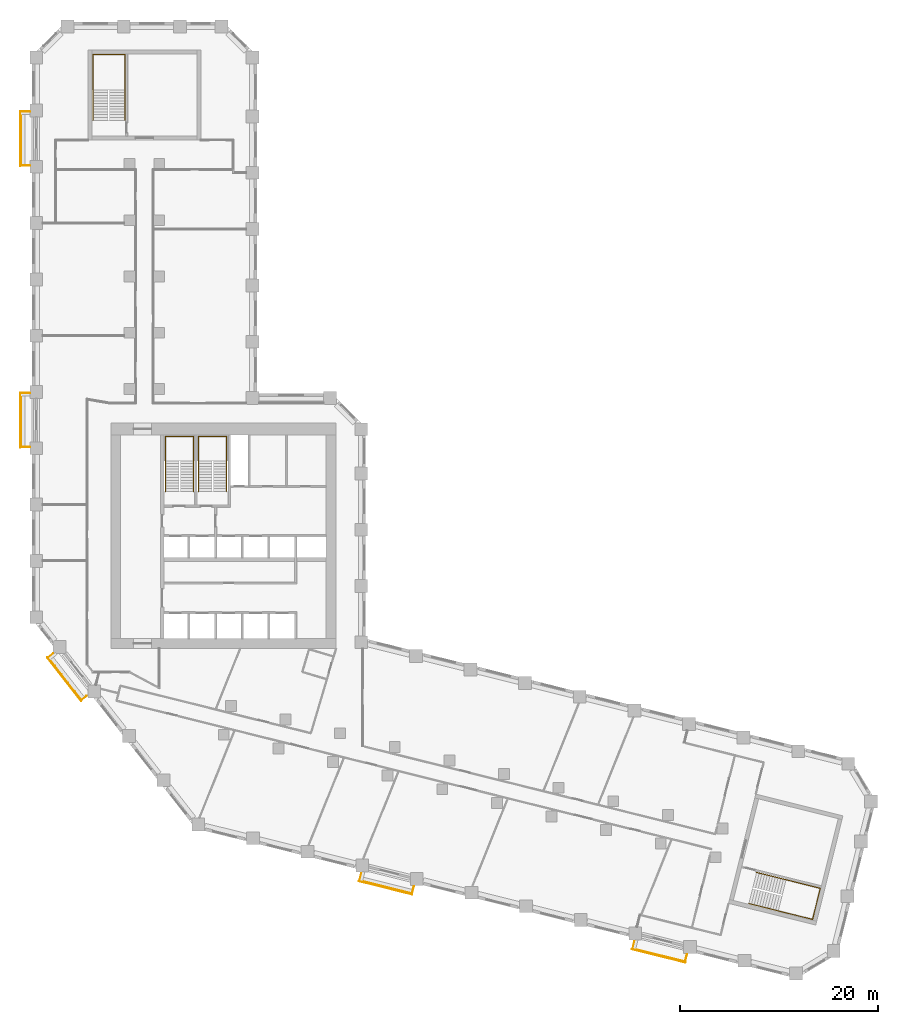
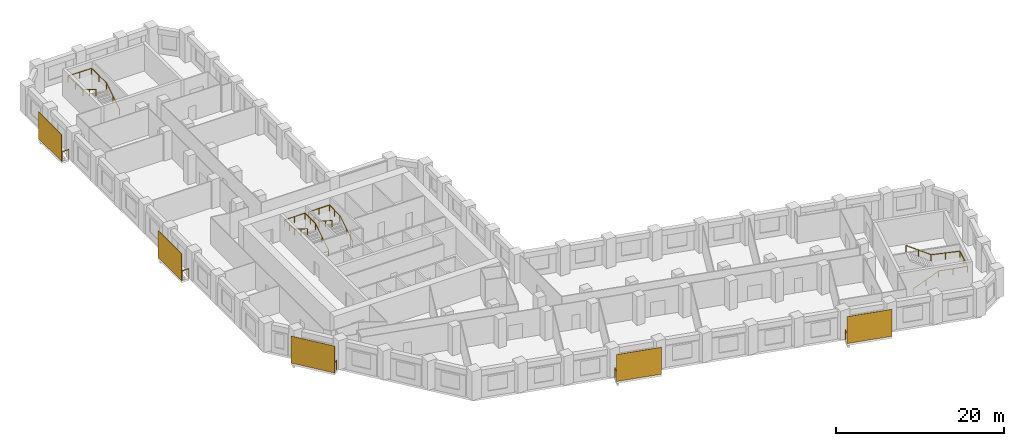
# One storey, part 10 of 10: 9 railings, 5 shading devices.
"""IFC4 building model written with IfcOpenShell, lengths in metres."""

import ifcopenshell
import ifcopenshell.guid

model = None  # the IFC model being written
_history = None  # IfcOwnerHistory: only IFC2X3 demands one
_inside = {}  # id of a spatial element -> (the spatial element, [elements in it])
_under = {}  # id of a project, library or spatial element -> (it, [spatial elements below it])
_declared = {}  # id of a project -> (the project, [libraries it declares])
_typed = {}  # id of a type object -> (the type object, [elements of that type])
_made_of = {}  # id of a material, layer set ... -> (it, [elements and type objects made of it])


def new_model(schema):
    """Start an empty IFC model of exactly this schema.

    Asked for "IFC4X3", IfcOpenShell would pick the latest addendum, in which some entities
    have other attributes; the version numbers below select the first issue.
    IFC2X3 requires an IfcOwnerHistory on every rooted entity: one is made here for all.
    """
    global model, _history
    if schema == "IFC4X3":
        model = ifcopenshell.file(schema_version=(4, 3, 0, 0))
    else:
        model = ifcopenshell.file(schema=schema)
    _inside.clear()
    _under.clear()
    _declared.clear()
    _typed.clear()
    _made_of.clear()
    _history = None
    if model.schema == "IFC2X3":
        org = make("IfcOrganization", Name="unknown")
        user = make(
            "IfcPersonAndOrganization",
            ThePerson=make("IfcPerson", FamilyName="unknown"),
            TheOrganization=org,
        )
        app = make(
            "IfcApplication",
            ApplicationDeveloper=org,
            Version="unknown",
            ApplicationFullName="unknown",
            ApplicationIdentifier="unknown",
        )
        _history = make(
            "IfcOwnerHistory",
            OwningUser=user,
            OwningApplication=app,
            ChangeAction="ADDED",
            CreationDate=0,
        )
    return model


def make(cls, **values):
    """One entity of the class cls with the attributes given. An attribute that is None is left unset."""
    return model.create_entity(
        cls, **{name: value for name, value in values.items() if value is not None}
    )


def rooted(cls, **values):
    """An entity with a GlobalId (a new one), such as an element, a storey or a relation."""
    return make(cls, GlobalId=ifcopenshell.guid.new(), OwnerHistory=_history, **values)


def si_unit(unit_type, name, prefix=None):
    """IfcSIUnit, for example si_unit("LENGTHUNIT", "METRE", prefix="MILLI")."""
    return make("IfcSIUnit", UnitType=unit_type, Prefix=prefix, Name=name)


def assignment(units):
    """IfcUnitAssignment: the units of a project."""
    return None if units is None else make("IfcUnitAssignment", Units=units)


def point(xyz):
    """IfcCartesianPoint."""
    return None if xyz is None else make("IfcCartesianPoint", Coordinates=xyz)


def direction(xyz):
    """IfcDirection."""
    return None if xyz is None else make("IfcDirection", DirectionRatios=xyz)


def frame(location, z_axis=None, x_axis=None):
    """IfcAxis2Placement3D, a coordinate frame: its origin and axes. An axis left out is left unset."""
    return make(
        "IfcAxis2Placement3D",
        Location=point(location),
        Axis=direction(z_axis),
        RefDirection=direction(x_axis),
    )


def frame_2d(location, x_axis=None):
    """IfcAxis2Placement2D, a coordinate frame in the plane: its origin and x axis."""
    return make(
        "IfcAxis2Placement2D", Location=point(location), RefDirection=direction(x_axis)
    )


def origin():
    """The frame at (0, 0, 0) with its axes left unset."""
    return frame((0.0, 0.0, 0.0))


def origin_2d():
    """The frame at (0, 0) in the plane with its x axis left unset."""
    return frame_2d((0.0, 0.0))


def place(relative_to, where):
    """IfcLocalPlacement: puts the frame where relative to a parent placement (None: the world)."""
    return make(
        "IfcLocalPlacement", PlacementRelTo=relative_to, RelativePlacement=where
    )


def context(
    kind, dimensions, precision=None, world=None, true_north=None, identifier=None
):
    """IfcGeometricRepresentationContext, for example the 3D "Model" context."""
    return make(
        "IfcGeometricRepresentationContext",
        ContextIdentifier=identifier,
        ContextType=kind,
        CoordinateSpaceDimension=dimensions,
        Precision=precision,
        WorldCoordinateSystem=world,
        TrueNorth=true_north,
    )


def subcontext(parent, identifier, kind, view, scale=None):
    """IfcGeometricRepresentationSubContext, for example "Body" below "Model"."""
    return make(
        "IfcGeometricRepresentationSubContext",
        ContextIdentifier=identifier,
        ContextType=kind,
        ParentContext=parent,
        TargetScale=scale,
        TargetView=view,
    )


def project(units=None, contexts=None):
    """IfcProject with its units and contexts."""
    return rooted(
        "IfcProject",
        Name="project",
        RepresentationContexts=contexts,
        UnitsInContext=assignment(units),
    )


def spatial(cls, under=None, at=None, **own):
    """A site, building, storey or space (cls), placed at a placement, below another one or the project."""
    s = rooted(cls, ObjectPlacement=at, **own)
    if under is not None:
        _under.setdefault(under.id(), (under, []))[1].append(s)
    return s


def profile(cls, at=None, kind="AREA", **sizes):
    """A parametric profile (cls). Its sizes go by their IFC names, for example OverallWidth=200.0."""
    return make(cls, ProfileType=kind, Position=at, **sizes)


def rectangle(**sizes):
    """IfcRectangleProfileDef."""
    return profile("IfcRectangleProfileDef", **sizes)


def circle(**sizes):
    """IfcCircleProfileDef."""
    return profile("IfcCircleProfileDef", **sizes)


def extrude(swept, where, along, depth):
    """IfcExtrudedAreaSolid: the profile swept, set in the frame where, extruded along a direction by depth."""
    return make(
        "IfcExtrudedAreaSolid",
        SweptArea=swept,
        Position=where,
        ExtrudedDirection=direction(along),
        Depth=depth,
    )


def shape(context_of_items, identifier, shape_type, items):
    """IfcShapeRepresentation: the items that make up one representation, for example the "Body"."""
    return make(
        "IfcShapeRepresentation",
        ContextOfItems=context_of_items,
        RepresentationIdentifier=identifier,
        RepresentationType=shape_type,
        Items=items,
    )


def material(Name=None, Category=None):
    """IfcMaterial."""
    return make("IfcMaterial", Name=Name, Category=Category)


def layer(
    of_material, thickness, ventilated=None, Name=None, Category=None, Priority=None
):
    """IfcMaterialLayer: one layer of a wall or slab, of a material (None: an air gap)."""
    return make(
        "IfcMaterialLayer",
        Material=of_material,
        LayerThickness=thickness,
        IsVentilated=ventilated,
        Name=Name,
        Category=Category,
        Priority=Priority,
    )


def layer_set(layers, Name=None):
    """IfcMaterialLayerSet."""
    return make("IfcMaterialLayerSet", MaterialLayers=layers, LayerSetName=Name)


def made_of(thing, what):
    """Note that an element or type object is made of a material, layer set ...; save() writes the relation."""
    if what is not None:
        _made_of.setdefault(what.id(), (what, []))[1].append(thing)
    return thing


def type_object(cls, material=None, **own):
    """A type object (cls), such as IfcWallType, which elements share."""
    return made_of(rooted(cls, **own), material)


def element(
    cls,
    number,
    at=None,
    inside=None,
    cuts=None,
    type_object=None,
    material=None,
    context=None,
    identifier="Body",
    shape_type=None,
    held_by="IfcProductDefinitionShape",
    body=None,
    shapes=None,
    **own,
):
    """One element of the class cls, such as IfcWall. Its Tag is "e" and its number.

    at: its placement. inside: the storey or other place that contains it. cuts: it is an
    opening in that element (IfcRelVoidsElement). A single representation is given by context,
    identifier, shape_type and body (its items); several are given by shapes. held_by: the class
    of the entity that holds the representations. save() writes the other relations.
    """
    e = rooted(cls, Tag="e%d" % number, ObjectPlacement=at, **own)
    if body is not None:
        shapes = [shape(context, identifier, shape_type, body)]
    if shapes is not None:
        e.Representation = make(held_by, Representations=shapes)
    if inside is not None:
        _inside.setdefault(inside.id(), (inside, []))[1].append(e)
    if cuts is not None:
        rooted(
            "IfcRelVoidsElement", RelatingBuildingElement=cuts, RelatedOpeningElement=e
        )
    if type_object is not None:
        _typed.setdefault(type_object.id(), (type_object, []))[1].append(e)
    return made_of(e, material)


def aggregate(whole, parts):
    """IfcRelAggregates: a whole, such as a stair, and the parts it consists of."""
    return rooted("IfcRelAggregates", RelatingObject=whole, RelatedObjects=parts)


def save(model, path):
    """Write the relations noted so far, then the file.

    IfcRelAggregates (storeys below a building ...), IfcRelContainedInSpatialStructure (elements
    in a storey), IfcRelDefinesByType, IfcRelAssociatesMaterial and IfcRelDeclares: one each for
    every whole, place, type object, material and project.
    """
    for whole, parts in _under.values():
        aggregate(whole, parts)
    for where, things in _inside.values():
        rooted(
            "IfcRelContainedInSpatialStructure",
            RelatedElements=things,
            RelatingStructure=where,
        )
    for kind, things in _typed.values():
        rooted("IfcRelDefinesByType", RelatedObjects=things, RelatingType=kind)
    for what, things in _made_of.values():
        rooted("IfcRelAssociatesMaterial", RelatedObjects=things, RelatingMaterial=what)
    for by, libraries in _declared.values():
        rooted("IfcRelDeclares", RelatingContext=by, RelatedDefinitions=libraries)
    model.write(path)


model = new_model("IFC4")

# Units and contexts
model_context = context("Model", 3, precision=1e-05, world=origin(), true_north=direction((0.0, 1.0)))
body_context = subcontext(model_context, "Body", "Model", "MODEL_VIEW")
ifc_project = project(units=[si_unit("LENGTHUNIT", "METRE"), si_unit("AREAUNIT", "SQUARE_METRE"), si_unit("VOLUMEUNIT", "CUBIC_METRE"), si_unit("PLANEANGLEUNIT", "RADIAN"), si_unit("MASSUNIT", "GRAM", prefix="KILO")], contexts=[model_context])

# Site, building, storey
site_placement = place(None, origin())
site = spatial("IfcSite", under=ifc_project, at=site_placement, CompositionType="ELEMENT")
building_placement = place(site_placement, origin())
building = spatial("IfcBuilding", under=site, at=building_placement, Name="Meshkara Civic Tower", CompositionType="ELEMENT")
storey_placement = place(building_placement, frame((0.0, 0.0, 122.39990234375)))
storey = spatial("IfcBuildingStorey", under=building, at=storey_placement, Name="L27", CompositionType="ELEMENT", Elevation=122.39990234375)

# Railings
ifc_material_1 = material(Name="Steel S355", Category="steel")
railing_type_1 = type_object("IfcRailingType", Name="BALUSTRADE GUARD 1400", PredefinedType="BALUSTRADE", material=ifc_material_1)
for number, where, name in (
    (1, (-0.199951171875, 68.43505859375, 0.0), "Balcony guard"),
    (2, (-0.199951171875, 39.93505859375, 0.0), "Balcony guard"),
):
    element("IfcRailing", number, at=place(storey_placement, frame(where)), inside=storey, type_object=railing_type_1, Name=name, PredefinedType="BALUSTRADE", context=body_context, shape_type="SweptSolid", body=[
        extrude(circle(Radius=0.02392578125, at=origin_2d()), frame((0.0, 0.0, 1.3759765625), z_axis=(-1.0, 0.0, 0.0), x_axis=(0.0, -1.0, 0.0)), (0.0, 0.0, 1.0), 0.91015625),
        extrude(circle(Radius=0.02392578125, at=origin_2d()), frame((-0.91015625, 0.0, 1.3759765625), z_axis=(0.0, -1.0, 0.0), x_axis=(1.0, 0.0, 0.0)), (0.0, 0.0, 1.0), 5.4599609375),
        extrude(circle(Radius=0.02392578125, at=origin_2d()), frame((-0.91015625, -5.4599609375, 1.3759765625), z_axis=(1.0, 0.0, 0.0), x_axis=(0.0, 1.0, 0.0)), (0.0, 0.0, 1.0), 0.91015625),
        extrude(circle(Radius=0.02099609375, at=origin_2d()), origin(), (0.0, 0.0, 1.0), 1.351806640625),
        extrude(circle(Radius=0.02099609375, at=origin_2d()), frame((-0.91015625, 0.0, 0.0)), (0.0, 0.0, 1.0), 1.351806640625),
        extrude(circle(Radius=0.02099609375, at=origin_2d()), frame((-0.91015625, -1.092041015625, 0.0)), (0.0, 0.0, 1.0), 1.351806640625),
        extrude(circle(Radius=0.02099609375, at=origin_2d()), frame((-0.91015625, -2.18408203125, 0.0)), (0.0, 0.0, 1.0), 1.351806640625),
        extrude(circle(Radius=0.02099609375, at=origin_2d()), frame((-0.91015625, -3.27587890625, 0.0)), (0.0, 0.0, 1.0), 1.351806640625),
        extrude(circle(Radius=0.02099609375, at=origin_2d()), frame((-0.91015625, -4.367919921875, 0.0)), (0.0, 0.0, 1.0), 1.351806640625),
        extrude(circle(Radius=0.02099609375, at=origin_2d()), frame((-0.91015625, -5.4599609375, 0.0)), (0.0, 0.0, 1.0), 1.351806640625),
        extrude(circle(Radius=0.02099609375, at=origin_2d()), frame((0.0, -5.4599609375, 0.0)), (0.0, 0.0, 1.0), 1.351806640625),
    ])
railing_1_placement = place(storey_placement, frame((2.1689453125, 13.572998046875, 0.0)))
element("IfcRailing", 3, at=railing_1_placement, inside=storey, type_object=railing_type_1, Name="Balcony guard", PredefinedType="BALUSTRADE", context=body_context, shape_type="SweptSolid", body=[
    extrude(circle(Radius=0.02392578125, at=origin_2d()), frame((0.0, 0.0, 1.3759765625), z_axis=(-0.787664106231, -0.616104906453, 0.0), x_axis=(0.616104906453, -0.787664106231, 0.0)), (0.0, 0.0, 1.0), 0.6474609375),
    extrude(circle(Radius=0.02392578125, at=origin_2d()), frame((-0.510009765625, -0.39892578125, 1.3759765625), z_axis=(0.615573755741, -0.788079279795, 0.0), x_axis=(0.788079279795, 0.615573755741, 0.0)), (0.0, 0.0, 1.0), 5.460205078125),
    extrude(circle(Radius=0.02392578125, at=origin_2d()), frame((2.85107421875, -4.701904296875, 1.3759765625), z_axis=(0.788235582762, 0.615373598774, 0.0), x_axis=(-0.615373598774, 0.788235582762, 0.0)), (0.0, 0.0, 1.0), 0.648193359375),
    extrude(circle(Radius=0.02099609375, at=origin_2d()), origin(), (0.0, 0.0, 1.0), 1.351806640625),
    extrude(circle(Radius=0.02099609375, at=origin_2d()), frame((-0.510009765625, -0.39892578125, 0.0)), (0.0, 0.0, 1.0), 1.351806640625),
    extrude(circle(Radius=0.02099609375, at=origin_2d()), frame((0.162109375, -1.259521484375, 0.0)), (0.0, 0.0, 1.0), 1.351806640625),
    extrude(circle(Radius=0.02099609375, at=origin_2d()), frame((0.83447265625, -2.1201171875, 0.0)), (0.0, 0.0, 1.0), 1.351806640625),
    extrude(circle(Radius=0.02099609375, at=origin_2d()), frame((1.506591796875, -2.980712890625, 0.0)), (0.0, 0.0, 1.0), 1.351806640625),
    extrude(circle(Radius=0.02099609375, at=origin_2d()), frame((2.178955078125, -3.84130859375, 0.0)), (0.0, 0.0, 1.0), 1.351806640625),
    extrude(circle(Radius=0.02099609375, at=origin_2d()), frame((2.85107421875, -4.701904296875, 0.0)), (0.0, 0.0, 1.0), 1.351806640625),
    extrude(circle(Radius=0.02099609375, at=origin_2d()), frame((3.362060546875, -4.302978515625, 0.0)), (0.0, 0.0, 1.0), 1.351806640625),
])
railing_2_placement = place(storey_placement, frame((33.368896484375, -8.66796875, 0.0)))
element("IfcRailing", 4, at=railing_2_placement, inside=storey, type_object=railing_type_1, Name="Balcony guard", PredefinedType="BALUSTRADE", context=body_context, shape_type="SweptSolid", body=[
    extrude(circle(Radius=0.02392578125, at=origin_2d()), frame((0.0, 0.0, 1.3759765625), z_axis=(-0.242237978263, -0.970216863329, 0.0), x_axis=(0.970216863329, -0.242237978263, 0.0)), (0.0, 0.0, 1.0), 0.77197265625),
    extrude(circle(Radius=0.02392578125, at=origin_2d()), frame((-0.18701171875, -0.7490234375, 1.3759765625), z_axis=(0.970292231073, -0.24193591366, 0.0), x_axis=(0.24193591366, 0.970292231073, 0.0)), (0.0, 0.0, 1.0), 5.460205078125),
    extrude(circle(Radius=0.02392578125, at=origin_2d()), frame((5.111083984375, -2.070068359375, 1.3759765625), z_axis=(0.242237978263, 0.970216863329, 0.0), x_axis=(-0.970216863329, 0.242237978263, 0.0)), (0.0, 0.0, 1.0), 0.77197265625),
    extrude(circle(Radius=0.02099609375, at=origin_2d()), origin(), (0.0, 0.0, 1.0), 1.351806640625),
    extrude(circle(Radius=0.02099609375, at=origin_2d()), frame((-0.18701171875, -0.7490234375, 0.0)), (0.0, 0.0, 1.0), 1.351806640625),
    extrude(circle(Radius=0.02099609375, at=origin_2d()), frame((0.87255859375, -1.01318359375, 0.0)), (0.0, 0.0, 1.0), 1.351806640625),
    extrude(circle(Radius=0.02099609375, at=origin_2d()), frame((1.93212890625, -1.27734375, 0.0)), (0.0, 0.0, 1.0), 1.351806640625),
    extrude(circle(Radius=0.02099609375, at=origin_2d()), frame((2.991943359375, -1.541748046875, 0.0)), (0.0, 0.0, 1.0), 1.351806640625),
    extrude(circle(Radius=0.02099609375, at=origin_2d()), frame((4.051513671875, -1.805908203125, 0.0)), (0.0, 0.0, 1.0), 1.351806640625),
    extrude(circle(Radius=0.02099609375, at=origin_2d()), frame((5.111083984375, -2.070068359375, 0.0)), (0.0, 0.0, 1.0), 1.351806640625),
    extrude(circle(Radius=0.02099609375, at=origin_2d()), frame((5.298095703125, -1.321044921875, 0.0)), (0.0, 0.0, 1.0), 1.351806640625),
])
railing_3_placement = place(storey_placement, frame((61.02294921875, -15.56298828125, 0.0)))
element("IfcRailing", 5, at=railing_3_placement, inside=storey, type_object=railing_type_1, Name="Balcony guard", PredefinedType="BALUSTRADE", context=body_context, shape_type="SweptSolid", body=[
    extrude(circle(Radius=0.02392578125, at=origin_2d()), frame((0.0, 0.0, 1.3759765625), z_axis=(-0.242237978263, -0.970216863329, 0.0), x_axis=(0.970216863329, -0.242237978263, 0.0)), (0.0, 0.0, 1.0), 0.77197265625),
    extrude(circle(Radius=0.02392578125, at=origin_2d()), frame((-0.18701171875, -0.7490234375, 1.3759765625), z_axis=(0.970323745377, -0.241809489388, 0.0), x_axis=(0.241809489388, 0.970323745377, 0.0)), (0.0, 0.0, 1.0), 5.459228515625),
    extrude(circle(Radius=0.02392578125, at=origin_2d()), frame((5.110107421875, -2.069091796875, 1.3759765625), z_axis=(0.242237978263, 0.970216863329, 0.0), x_axis=(-0.970216863329, 0.242237978263, 0.0)), (0.0, 0.0, 1.0), 0.77197265625),
    extrude(circle(Radius=0.02099609375, at=origin_2d()), origin(), (0.0, 0.0, 1.0), 1.351806640625),
    extrude(circle(Radius=0.02099609375, at=origin_2d()), frame((-0.18701171875, -0.7490234375, 0.0)), (0.0, 0.0, 1.0), 1.351806640625),
    extrude(circle(Radius=0.02099609375, at=origin_2d()), frame((0.872314453125, -1.012939453125, 0.0)), (0.0, 0.0, 1.0), 1.351806640625),
    extrude(circle(Radius=0.02099609375, at=origin_2d()), frame((1.931884765625, -1.277099609375, 0.0)), (0.0, 0.0, 1.0), 1.351806640625),
    extrude(circle(Radius=0.02099609375, at=origin_2d()), frame((2.9912109375, -1.541015625, 0.0)), (0.0, 0.0, 1.0), 1.351806640625),
    extrude(circle(Radius=0.02099609375, at=origin_2d()), frame((4.05078125, -1.80517578125, 0.0)), (0.0, 0.0, 1.0), 1.351806640625),
    extrude(circle(Radius=0.02099609375, at=origin_2d()), frame((5.110107421875, -2.069091796875, 0.0)), (0.0, 0.0, 1.0), 1.351806640625),
    extrude(circle(Radius=0.02099609375, at=origin_2d()), frame((5.297119140625, -1.320068359375, 0.0)), (0.0, 0.0, 1.0), 1.351806640625),
])

# Shading devices
ifc_material_2 = material(Name="Perforated bronze anodised aluminium sheet", Category="aluminium")
ifc_layer = layer(ifc_material_2, 0.0400390625)
ifc_layer_set = layer_set([ifc_layer], Name="PERFORATED BRONZE SCREEN")
shading_device_type = type_object("IfcShadingDeviceType", Name="PERFORATED BRONZE SCREEN", PredefinedType="USERDEFINED", material=ifc_layer_set)
for number, where, z_axis, x_axis, name in (
    (6, (-1.179931640625, 65.705078125, 0.000244140625), (0.0, 0.0, 1.0), (0.0, -1.0, 0.0), "Balcony screen"),
    (7, (-1.179931640625, 37.205078125, 0.000244140625), (0.0, 0.0, 1.0), (0.0, -1.0, 0.0), "Balcony screen"),
    (8, (3.283935546875, 10.97998046875, 0.000244140625), (0.0, 0.0, 1.0), (0.615661475326, -0.788010753607, 0.0), "Balcony screen"),
    (9, (35.81396484375, -10.14599609375, 0.000244140625), (0.0, 0.0, 1.0), (0.970299948462, -0.241904960708, 0.0), "Balcony screen"),
):
    element("IfcShadingDevice", number, at=place(storey_placement, frame(where, z_axis=z_axis, x_axis=x_axis)), inside=storey, type_object=shading_device_type, Name=name, ObjectType="SCREEN", PredefinedType="USERDEFINED", context=body_context, shape_type="SweptSolid", body=[
        extrude(rectangle(XDim=5.580078125, YDim=0.0400390625, at=origin_2d()), origin(), (0.0, 0.0, 1.0), 3.89990234375),
    ])
shading_device_placement = place(storey_placement, frame((63.468017578125, -17.0400390625, 0.000244140625), z_axis=(0.0, 0.0, 1.0), x_axis=(0.970299948462, -0.241904960708, 0.0)))
element("IfcShadingDevice", 10, at=shading_device_placement, inside=storey, type_object=shading_device_type, Name="Balcony screen", ObjectType="SCREEN", PredefinedType="USERDEFINED", context=body_context, shape_type="SweptSolid", body=[
    extrude(rectangle(XDim=5.5791015625, YDim=0.0400390625, at=origin_2d()), origin(), (0.0, 0.0, 1.0), 3.89990234375),
])

# Railings
ifc_material_3 = material(Name="Steel handrail", Category="steel")
railing_type_2 = type_object("IfcRailingType", Name="Stair handrail 900", PredefinedType="HANDRAIL", material=ifc_material_3)
railing_4_placement = place(storey_placement, frame((16.375, 30.0, 0.175048828125)))
element("IfcRailing", 11, at=railing_4_placement, inside=storey, type_object=railing_type_2, Name="L27 ST1 stair handrail 1", PredefinedType="HANDRAIL", context=body_context, shape_type="SweptSolid", body=[
    extrude(circle(Radius=0.02392578125, at=origin_2d()), frame((0.0, 0.0, 0.8759765625), z_axis=(0.0, 0.847998304005, 0.529998940003), x_axis=(-1.0, 0.0, 0.0)), (0.0, 0.0, 1.0), 3.632080078125),
    extrude(circle(Radius=0.02392578125, at=origin_2d()), frame((0.0, 3.080078125, 2.80078125), z_axis=(0.0, 1.0, 0.0), x_axis=(-1.0, 0.0, 0.0)), (0.0, 0.0, 1.0), 2.469970703125),
    extrude(circle(Radius=0.02392578125, at=origin_2d()), frame((0.0, 5.550048828125, 2.80078125), z_axis=(-1.0, 0.0, 0.0), x_axis=(0.0, -1.0, 0.0)), (0.0, 0.0, 1.0), 2.85009765625),
    extrude(circle(Radius=0.02392578125, at=origin_2d()), frame((-2.85009765625, 5.550048828125, 2.80078125), z_axis=(0.0, -0.997498084828, 0.070693498747), x_axis=(1.0, 0.0, 0.0)), (0.0, 0.0, 1.0), 2.47607421875),
    extrude(circle(Radius=0.02392578125, at=origin_2d()), frame((-2.85009765625, 3.080078125, 2.97607421875), z_axis=(0.0, -0.847998304005, 0.529998940003), x_axis=(1.0, 0.0, 0.0)), (0.0, 0.0, 1.0), 3.632080078125),
    extrude(circle(Radius=0.02099609375, at=origin_2d()), origin(), (0.0, 0.0, 1.0), 0.851806640625),
    extrude(circle(Radius=0.02099609375, at=origin_2d()), frame((0.0, 1.5400390625, 0.96240234375)), (0.0, 0.0, 1.0), 0.851806640625),
    extrude(circle(Radius=0.02099609375, at=origin_2d()), frame((0.0, 3.080078125, 1.925048828125)), (0.0, 0.0, 1.0), 0.851806640625),
    extrude(circle(Radius=0.02099609375, at=origin_2d()), frame((0.0, 4.31494140625, 1.925048828125)), (0.0, 0.0, 1.0), 0.851806640625),
    extrude(circle(Radius=0.02099609375, at=origin_2d()), frame((0.0, 5.550048828125, 1.925048828125)), (0.0, 0.0, 1.0), 0.851806640625),
    extrude(circle(Radius=0.02099609375, at=origin_2d()), frame((-1.425048828125, 5.550048828125, 1.925048828125)), (0.0, 0.0, 1.0), 0.851806640625),
    extrude(circle(Radius=0.02099609375, at=origin_2d()), frame((-2.85009765625, 5.550048828125, 1.925048828125)), (0.0, 0.0, 1.0), 0.851806640625),
    extrude(circle(Radius=0.02099609375, at=origin_2d()), frame((-2.85009765625, 4.31494140625, 2.0126953125)), (0.0, 0.0, 1.0), 0.851806640625),
    extrude(circle(Radius=0.02099609375, at=origin_2d()), frame((-2.85009765625, 3.080078125, 2.10009765625)), (0.0, 0.0, 1.0), 0.851806640625),
    extrude(circle(Radius=0.02099609375, at=origin_2d()), frame((-2.85009765625, 1.5400390625, 3.0625)), (0.0, 0.0, 1.0), 0.851806640625),
    extrude(circle(Radius=0.02099609375, at=origin_2d()), frame((-2.85009765625, 0.0, 4.025146484375)), (0.0, 0.0, 1.0), 0.851806640625),
])
railing_5_placement = place(storey_placement, frame((19.72509765625, 30.0, 0.175048828125)))
element("IfcRailing", 12, at=railing_5_placement, inside=storey, type_object=railing_type_2, Name="L27 ST2 stair handrail 1", PredefinedType="HANDRAIL", context=body_context, shape_type="SweptSolid", body=[
    extrude(circle(Radius=0.02392578125, at=origin_2d()), frame((0.0, 0.0, 0.8759765625), z_axis=(0.0, 0.847998304005, 0.529998940003), x_axis=(-1.0, 0.0, 0.0)), (0.0, 0.0, 1.0), 3.632080078125),
    extrude(circle(Radius=0.02392578125, at=origin_2d()), frame((0.0, 3.080078125, 2.80078125), z_axis=(0.0, 1.0, 0.0), x_axis=(-1.0, 0.0, 0.0)), (0.0, 0.0, 1.0), 2.469970703125),
    extrude(circle(Radius=0.02392578125, at=origin_2d()), frame((0.0, 5.550048828125, 2.80078125), z_axis=(-1.0, 0.0, 0.0), x_axis=(0.0, -1.0, 0.0)), (0.0, 0.0, 1.0), 2.85009765625),
    extrude(circle(Radius=0.02392578125, at=origin_2d()), frame((-2.85009765625, 5.550048828125, 2.80078125), z_axis=(0.0, -0.997498084828, 0.070693498747), x_axis=(1.0, 0.0, 0.0)), (0.0, 0.0, 1.0), 2.47607421875),
    extrude(circle(Radius=0.02392578125, at=origin_2d()), frame((-2.85009765625, 3.080078125, 2.97607421875), z_axis=(0.0, -0.847998304005, 0.529998940003), x_axis=(1.0, 0.0, 0.0)), (0.0, 0.0, 1.0), 3.632080078125),
    extrude(circle(Radius=0.02099609375, at=origin_2d()), origin(), (0.0, 0.0, 1.0), 0.851806640625),
    extrude(circle(Radius=0.02099609375, at=origin_2d()), frame((0.0, 1.5400390625, 0.96240234375)), (0.0, 0.0, 1.0), 0.851806640625),
    extrude(circle(Radius=0.02099609375, at=origin_2d()), frame((0.0, 3.080078125, 1.925048828125)), (0.0, 0.0, 1.0), 0.851806640625),
    extrude(circle(Radius=0.02099609375, at=origin_2d()), frame((0.0, 4.31494140625, 1.925048828125)), (0.0, 0.0, 1.0), 0.851806640625),
    extrude(circle(Radius=0.02099609375, at=origin_2d()), frame((0.0, 5.550048828125, 1.925048828125)), (0.0, 0.0, 1.0), 0.851806640625),
    extrude(circle(Radius=0.02099609375, at=origin_2d()), frame((-1.425048828125, 5.550048828125, 1.925048828125)), (0.0, 0.0, 1.0), 0.851806640625),
    extrude(circle(Radius=0.02099609375, at=origin_2d()), frame((-2.85009765625, 5.550048828125, 1.925048828125)), (0.0, 0.0, 1.0), 0.851806640625),
    extrude(circle(Radius=0.02099609375, at=origin_2d()), frame((-2.85009765625, 4.31494140625, 2.0126953125)), (0.0, 0.0, 1.0), 0.851806640625),
    extrude(circle(Radius=0.02099609375, at=origin_2d()), frame((-2.85009765625, 3.080078125, 2.10009765625)), (0.0, 0.0, 1.0), 0.851806640625),
    extrude(circle(Radius=0.02099609375, at=origin_2d()), frame((-2.85009765625, 1.5400390625, 3.0625)), (0.0, 0.0, 1.0), 0.851806640625),
    extrude(circle(Radius=0.02099609375, at=origin_2d()), frame((-2.85009765625, 0.0, 4.025146484375)), (0.0, 0.0, 1.0), 0.851806640625),
])
railing_6_placement = place(storey_placement, frame((9.425048828125, 67.570068359375, 0.175048828125)))
element("IfcRailing", 13, at=railing_6_placement, inside=storey, type_object=railing_type_2, Name="L27 ESA2 stair handrail 1", PredefinedType="HANDRAIL", context=body_context, shape_type="SweptSolid", body=[
    extrude(circle(Radius=0.02392578125, at=origin_2d()), frame((0.0, 0.0, 0.8759765625), z_axis=(0.0, 0.847979421464, 0.530029150871), x_axis=(-1.0, 0.0, 0.0)), (0.0, 0.0, 1.0), 3.632080078125),
    extrude(circle(Radius=0.02392578125, at=origin_2d()), frame((0.0, 3.079833984375, 2.80078125), z_axis=(0.0, 1.0, 0.0), x_axis=(-1.0, 0.0, 0.0)), (0.0, 0.0, 1.0), 3.570068359375),
    extrude(circle(Radius=0.02392578125, at=origin_2d()), frame((0.0, 6.64990234375, 2.80078125), z_axis=(-1.0, 0.0, 0.0), x_axis=(0.0, -1.0, 0.0)), (0.0, 0.0, 1.0), 3.25),
    extrude(circle(Radius=0.02392578125, at=origin_2d()), frame((-3.25, 6.64990234375, 2.80078125), z_axis=(0.0, -0.998800077689, 0.048973511297), x_axis=(1.0, 0.0, 0.0)), (0.0, 0.0, 1.0), 3.574462890625),
    extrude(circle(Radius=0.02392578125, at=origin_2d()), frame((-3.25, 3.079833984375, 2.97607421875), z_axis=(0.0, -0.847979421464, 0.530029150871), x_axis=(1.0, 0.0, 0.0)), (0.0, 0.0, 1.0), 3.632080078125),
    extrude(circle(Radius=0.02099609375, at=origin_2d()), origin(), (0.0, 0.0, 1.0), 0.851806640625),
    extrude(circle(Radius=0.02099609375, at=origin_2d()), frame((0.0, 1.5400390625, 0.96240234375)), (0.0, 0.0, 1.0), 0.851806640625),
    extrude(circle(Radius=0.02099609375, at=origin_2d()), frame((0.0, 3.079833984375, 1.925048828125)), (0.0, 0.0, 1.0), 0.851806640625),
    extrude(circle(Radius=0.02099609375, at=origin_2d()), frame((0.0, 4.86474609375, 1.925048828125)), (0.0, 0.0, 1.0), 0.851806640625),
    extrude(circle(Radius=0.02099609375, at=origin_2d()), frame((0.0, 6.64990234375, 1.925048828125)), (0.0, 0.0, 1.0), 0.851806640625),
    extrude(circle(Radius=0.02099609375, at=origin_2d()), frame((-1.625, 6.64990234375, 1.925048828125)), (0.0, 0.0, 1.0), 0.851806640625),
    extrude(circle(Radius=0.02099609375, at=origin_2d()), frame((-3.25, 6.64990234375, 1.925048828125)), (0.0, 0.0, 1.0), 0.851806640625),
    extrude(circle(Radius=0.02099609375, at=origin_2d()), frame((-3.25, 4.86474609375, 2.0126953125)), (0.0, 0.0, 1.0), 0.851806640625),
    extrude(circle(Radius=0.02099609375, at=origin_2d()), frame((-3.25, 3.079833984375, 2.10009765625)), (0.0, 0.0, 1.0), 0.851806640625),
    extrude(circle(Radius=0.02099609375, at=origin_2d()), frame((-3.25, 1.5400390625, 3.0625)), (0.0, 0.0, 1.0), 0.851806640625),
    extrude(circle(Radius=0.02099609375, at=origin_2d()), frame((-3.25, 0.0, 4.025146484375)), (0.0, 0.0, 1.0), 0.851806640625),
])
railing_7_placement = place(storey_placement, frame((72.587158203125, -11.73388671875, 0.175048828125)))
element("IfcRailing", 14, at=railing_7_placement, inside=storey, type_object=railing_type_2, Name="L27 ESB2 stair handrail 1", PredefinedType="HANDRAIL", context=body_context, shape_type="SweptSolid", body=[
    extrude(circle(Radius=0.02392578125, at=origin_2d()), frame((0.0, 0.0, 0.8759765625), z_axis=(0.82276025377, -0.205286749593, 0.530021617727), x_axis=(0.242087961707, 0.97025430625, 0.0)), (0.0, 0.0, 1.0), 3.632080078125),
    extrude(circle(Radius=0.02392578125, at=origin_2d()), frame((2.98828125, -0.74560546875, 2.80078125), z_axis=(0.97025503065, -0.242085058395, 0.0), x_axis=(0.242085058395, 0.97025503065, 0.0)), (0.0, 0.0, 1.0), 3.570068359375),
    extrude(circle(Radius=0.02392578125, at=origin_2d()), frame((6.4521484375, -1.60986328125, 2.80078125), z_axis=(0.242040676986, 0.970266103027, 0.0), x_axis=(-0.970266103027, 0.242040676986, 0.0)), (0.0, 0.0, 1.0), 3.25),
    extrude(circle(Radius=0.02392578125, at=origin_2d()), frame((7.23876953125, 1.54345703125, 2.80078125), z_axis=(-0.969090793551, 0.241794573525, 0.048973646672), x_axis=(-0.242085058395, -0.97025503065, 0.0)), (0.0, 0.0, 1.0), 3.574462890625),
    extrude(circle(Radius=0.02392578125, at=origin_2d()), frame((3.77490234375, 2.40771484375, 2.97607421875), z_axis=(-0.82276025377, 0.205286749593, 0.530021617727), x_axis=(-0.242087961707, -0.97025430625, 0.0)), (0.0, 0.0, 1.0), 3.632080078125),
    extrude(circle(Radius=0.02099609375, at=origin_2d()), origin(), (0.0, 0.0, 1.0), 0.851806640625),
    extrude(circle(Radius=0.02099609375, at=origin_2d()), frame((1.494140625, -0.372802734375, 0.96240234375)), (0.0, 0.0, 1.0), 0.851806640625),
    extrude(circle(Radius=0.02099609375, at=origin_2d()), frame((2.98828125, -0.74560546875, 1.925048828125)), (0.0, 0.0, 1.0), 0.851806640625),
    extrude(circle(Radius=0.02099609375, at=origin_2d()), frame((4.72021484375, -1.177734375, 1.925048828125)), (0.0, 0.0, 1.0), 0.851806640625),
    extrude(circle(Radius=0.02099609375, at=origin_2d()), frame((6.4521484375, -1.60986328125, 1.925048828125)), (0.0, 0.0, 1.0), 0.851806640625),
    extrude(circle(Radius=0.02099609375, at=origin_2d()), frame((6.845458984375, -0.033203125, 1.925048828125)), (0.0, 0.0, 1.0), 0.851806640625),
    extrude(circle(Radius=0.02099609375, at=origin_2d()), frame((7.23876953125, 1.54345703125, 1.925048828125)), (0.0, 0.0, 1.0), 0.851806640625),
    extrude(circle(Radius=0.02099609375, at=origin_2d()), frame((5.5068359375, 1.9755859375, 2.0126953125)), (0.0, 0.0, 1.0), 0.851806640625),
    extrude(circle(Radius=0.02099609375, at=origin_2d()), frame((3.77490234375, 2.40771484375, 2.10009765625)), (0.0, 0.0, 1.0), 0.851806640625),
    extrude(circle(Radius=0.02099609375, at=origin_2d()), frame((2.28076171875, 2.780517578125, 3.0625)), (0.0, 0.0, 1.0), 0.851806640625),
    extrude(circle(Radius=0.02099609375, at=origin_2d()), frame((0.78662109375, 3.1533203125, 4.025146484375)), (0.0, 0.0, 1.0), 0.851806640625),
])

save(model, "model.ifc")
